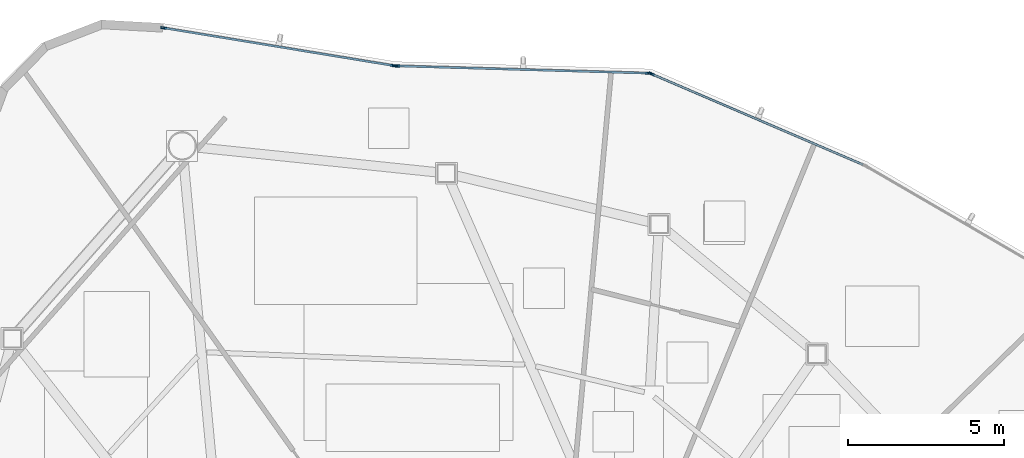
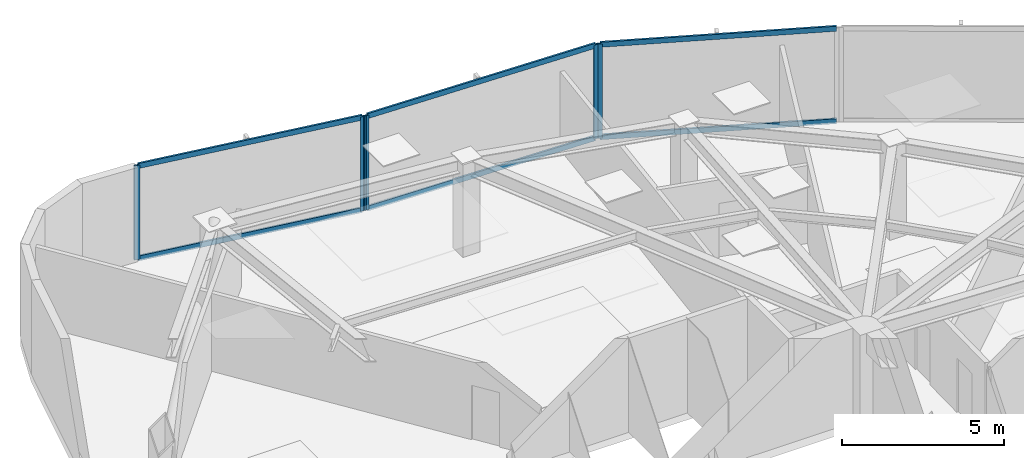
# One storey, part 9 of 18: 11 members, 3 elements without a shape of their own.
"""IFC4 building model written with IfcOpenShell, lengths in metres."""

import ifcopenshell
import ifcopenshell.guid

model = None  # the IFC model being written
_history = None  # IfcOwnerHistory: only IFC2X3 demands one
_inside = {}  # id of a spatial element -> (the spatial element, [elements in it])
_under = {}  # id of a project, library or spatial element -> (it, [spatial elements below it])
_declared = {}  # id of a project -> (the project, [libraries it declares])
_typed = {}  # id of a type object -> (the type object, [elements of that type])
_made_of = {}  # id of a material, layer set ... -> (it, [elements and type objects made of it])


def new_model(schema):
    """Start an empty IFC model of exactly this schema.

    Asked for "IFC4X3", IfcOpenShell would pick the latest addendum, in which some entities
    have other attributes; the version numbers below select the first issue.
    IFC2X3 requires an IfcOwnerHistory on every rooted entity: one is made here for all.
    """
    global model, _history
    if schema == "IFC4X3":
        model = ifcopenshell.file(schema_version=(4, 3, 0, 0))
    else:
        model = ifcopenshell.file(schema=schema)
    _inside.clear()
    _under.clear()
    _declared.clear()
    _typed.clear()
    _made_of.clear()
    _history = None
    if model.schema == "IFC2X3":
        org = make("IfcOrganization", Name="unknown")
        user = make(
            "IfcPersonAndOrganization",
            ThePerson=make("IfcPerson", FamilyName="unknown"),
            TheOrganization=org,
        )
        app = make(
            "IfcApplication",
            ApplicationDeveloper=org,
            Version="unknown",
            ApplicationFullName="unknown",
            ApplicationIdentifier="unknown",
        )
        _history = make(
            "IfcOwnerHistory",
            OwningUser=user,
            OwningApplication=app,
            ChangeAction="ADDED",
            CreationDate=0,
        )
    return model


def make(cls, **values):
    """One entity of the class cls with the attributes given. An attribute that is None is left unset."""
    return model.create_entity(
        cls, **{name: value for name, value in values.items() if value is not None}
    )


def rooted(cls, **values):
    """An entity with a GlobalId (a new one), such as an element, a storey or a relation."""
    return make(cls, GlobalId=ifcopenshell.guid.new(), OwnerHistory=_history, **values)


def si_unit(unit_type, name, prefix=None):
    """IfcSIUnit, for example si_unit("LENGTHUNIT", "METRE", prefix="MILLI")."""
    return make("IfcSIUnit", UnitType=unit_type, Prefix=prefix, Name=name)


def assignment(units):
    """IfcUnitAssignment: the units of a project."""
    return None if units is None else make("IfcUnitAssignment", Units=units)


def point(xyz):
    """IfcCartesianPoint."""
    return None if xyz is None else make("IfcCartesianPoint", Coordinates=xyz)


def direction(xyz):
    """IfcDirection."""
    return None if xyz is None else make("IfcDirection", DirectionRatios=xyz)


def frame(location, z_axis=None, x_axis=None):
    """IfcAxis2Placement3D, a coordinate frame: its origin and axes. An axis left out is left unset."""
    return make(
        "IfcAxis2Placement3D",
        Location=point(location),
        Axis=direction(z_axis),
        RefDirection=direction(x_axis),
    )


def frame_2d(location, x_axis=None):
    """IfcAxis2Placement2D, a coordinate frame in the plane: its origin and x axis."""
    return make(
        "IfcAxis2Placement2D", Location=point(location), RefDirection=direction(x_axis)
    )


def origin():
    """The frame at (0, 0, 0) with its axes left unset."""
    return frame((0.0, 0.0, 0.0))


def origin_2d():
    """The frame at (0, 0) in the plane with its x axis left unset."""
    return frame_2d((0.0, 0.0))


def place(relative_to, where):
    """IfcLocalPlacement: puts the frame where relative to a parent placement (None: the world)."""
    return make(
        "IfcLocalPlacement", PlacementRelTo=relative_to, RelativePlacement=where
    )


def context(
    kind, dimensions, precision=None, world=None, true_north=None, identifier=None
):
    """IfcGeometricRepresentationContext, for example the 3D "Model" context."""
    return make(
        "IfcGeometricRepresentationContext",
        ContextIdentifier=identifier,
        ContextType=kind,
        CoordinateSpaceDimension=dimensions,
        Precision=precision,
        WorldCoordinateSystem=world,
        TrueNorth=true_north,
    )


def subcontext(parent, identifier, kind, view, scale=None):
    """IfcGeometricRepresentationSubContext, for example "Body" below "Model"."""
    return make(
        "IfcGeometricRepresentationSubContext",
        ContextIdentifier=identifier,
        ContextType=kind,
        ParentContext=parent,
        TargetScale=scale,
        TargetView=view,
    )


def project(units=None, contexts=None):
    """IfcProject with its units and contexts."""
    return rooted(
        "IfcProject",
        Name="project",
        RepresentationContexts=contexts,
        UnitsInContext=assignment(units),
    )


def spatial(cls, under=None, at=None, **own):
    """A site, building, storey or space (cls), placed at a placement, below another one or the project."""
    s = rooted(cls, ObjectPlacement=at, **own)
    if under is not None:
        _under.setdefault(under.id(), (under, []))[1].append(s)
    return s


def profile(cls, at=None, kind="AREA", **sizes):
    """A parametric profile (cls). Its sizes go by their IFC names, for example OverallWidth=200.0."""
    return make(cls, ProfileType=kind, Position=at, **sizes)


def hollow_rectangle(**sizes):
    """IfcRectangleHollowProfileDef."""
    return profile("IfcRectangleHollowProfileDef", **sizes)


def extrude(swept, where, along, depth):
    """IfcExtrudedAreaSolid: the profile swept, set in the frame where, extruded along a direction by depth."""
    return make(
        "IfcExtrudedAreaSolid",
        SweptArea=swept,
        Position=where,
        ExtrudedDirection=direction(along),
        Depth=depth,
    )


def shape(context_of_items, identifier, shape_type, items):
    """IfcShapeRepresentation: the items that make up one representation, for example the "Body"."""
    return make(
        "IfcShapeRepresentation",
        ContextOfItems=context_of_items,
        RepresentationIdentifier=identifier,
        RepresentationType=shape_type,
        Items=items,
    )


def source(mapping_origin, context_of_items, identifier, shape_type, items):
    """IfcRepresentationMap: a shape defined once, which mapped items show again and again."""
    return make(
        "IfcRepresentationMap",
        MappingOrigin=mapping_origin,
        MappedRepresentation=shape(context_of_items, identifier, shape_type, items),
    )


def transform(
    local_origin,
    x_axis=None,
    y_axis=None,
    z_axis=None,
    scale=None,
    scale2=None,
    scale3=None,
    uniform=True,
):
    """IfcCartesianTransformationOperator3D, or its non-uniform kind. x_axis, y_axis, z_axis: its Axis1, 2, 3."""
    if uniform:
        return make(
            "IfcCartesianTransformationOperator3D",
            Axis1=direction(x_axis),
            Axis2=direction(y_axis),
            LocalOrigin=point(local_origin),
            Scale=scale,
            Axis3=direction(z_axis),
        )
    return make(
        "IfcCartesianTransformationOperator3DnonUniform",
        Axis1=direction(x_axis),
        Axis2=direction(y_axis),
        LocalOrigin=point(local_origin),
        Scale=scale,
        Axis3=direction(z_axis),
        Scale2=scale2,
        Scale3=scale3,
    )


def mapped(mapping_source, mapping_target):
    """IfcMappedItem: shows the shape of a source again, moved by a transform."""
    return make(
        "IfcMappedItem", MappingSource=mapping_source, MappingTarget=mapping_target
    )


def material(Name=None, Category=None):
    """IfcMaterial."""
    return make("IfcMaterial", Name=Name, Category=Category)


def layer(
    of_material, thickness, ventilated=None, Name=None, Category=None, Priority=None
):
    """IfcMaterialLayer: one layer of a wall or slab, of a material (None: an air gap)."""
    return make(
        "IfcMaterialLayer",
        Material=of_material,
        LayerThickness=thickness,
        IsVentilated=ventilated,
        Name=Name,
        Category=Category,
        Priority=Priority,
    )


def layer_set(layers, Name=None):
    """IfcMaterialLayerSet."""
    return make("IfcMaterialLayerSet", MaterialLayers=layers, LayerSetName=Name)


def material_profile(
    of_material, cross_section, Name=None, Category=None, Priority=None
):
    """IfcMaterialProfile: a cross section and its material."""
    return make(
        "IfcMaterialProfile",
        Name=Name,
        Material=of_material,
        Profile=cross_section,
        Priority=Priority,
        Category=Category,
    )


def profile_set(profiles, Name=None, composite=None):
    """IfcMaterialProfileSet."""
    return make(
        "IfcMaterialProfileSet",
        Name=Name,
        MaterialProfiles=profiles,
        CompositeProfile=composite,
    )


def made_of(thing, what):
    """Note that an element or type object is made of a material, layer set ...; save() writes the relation."""
    if what is not None:
        _made_of.setdefault(what.id(), (what, []))[1].append(thing)
    return thing


def type_object(cls, material=None, **own):
    """A type object (cls), such as IfcWallType, which elements share."""
    return made_of(rooted(cls, **own), material)


def type_shapes(of_type, sources):
    """Give a type object the sources (RepresentationMaps) that its elements show as mapped items."""
    of_type.RepresentationMaps = sources


def element(
    cls,
    number,
    at=None,
    inside=None,
    cuts=None,
    type_object=None,
    material=None,
    context=None,
    identifier="Body",
    shape_type=None,
    held_by="IfcProductDefinitionShape",
    body=None,
    shapes=None,
    **own,
):
    """One element of the class cls, such as IfcWall. Its Tag is "e" and its number.

    at: its placement. inside: the storey or other place that contains it. cuts: it is an
    opening in that element (IfcRelVoidsElement). A single representation is given by context,
    identifier, shape_type and body (its items); several are given by shapes. held_by: the class
    of the entity that holds the representations. save() writes the other relations.
    """
    e = rooted(cls, Tag="e%d" % number, ObjectPlacement=at, **own)
    if body is not None:
        shapes = [shape(context, identifier, shape_type, body)]
    if shapes is not None:
        e.Representation = make(held_by, Representations=shapes)
    if inside is not None:
        _inside.setdefault(inside.id(), (inside, []))[1].append(e)
    if cuts is not None:
        rooted(
            "IfcRelVoidsElement", RelatingBuildingElement=cuts, RelatedOpeningElement=e
        )
    if type_object is not None:
        _typed.setdefault(type_object.id(), (type_object, []))[1].append(e)
    return made_of(e, material)


def aggregate(whole, parts):
    """IfcRelAggregates: a whole, such as a stair, and the parts it consists of."""
    return rooted("IfcRelAggregates", RelatingObject=whole, RelatedObjects=parts)


def save(model, path):
    """Write the relations noted so far, then the file.

    IfcRelAggregates (storeys below a building ...), IfcRelContainedInSpatialStructure (elements
    in a storey), IfcRelDefinesByType, IfcRelAssociatesMaterial and IfcRelDeclares: one each for
    every whole, place, type object, material and project.
    """
    for whole, parts in _under.values():
        aggregate(whole, parts)
    for where, things in _inside.values():
        rooted(
            "IfcRelContainedInSpatialStructure",
            RelatedElements=things,
            RelatingStructure=where,
        )
    for kind, things in _typed.values():
        rooted("IfcRelDefinesByType", RelatedObjects=things, RelatingType=kind)
    for what, things in _made_of.values():
        rooted("IfcRelAssociatesMaterial", RelatedObjects=things, RelatingMaterial=what)
    for by, libraries in _declared.values():
        rooted("IfcRelDeclares", RelatingContext=by, RelatedDefinitions=libraries)
    model.write(path)


model = new_model("IFC4")

# Units and contexts
model_context = context("Model", 3, precision=1e-05, world=origin(), true_north=direction((0.0, 1.0)))
body_context = subcontext(model_context, "Body", "Model", "MODEL_VIEW")
ifc_project = project(units=[si_unit("LENGTHUNIT", "METRE"), si_unit("AREAUNIT", "SQUARE_METRE"), si_unit("VOLUMEUNIT", "CUBIC_METRE"), si_unit("PLANEANGLEUNIT", "RADIAN"), si_unit("MASSUNIT", "GRAM", prefix="KILO")], contexts=[model_context])

# Site, building, storey
site_placement = place(None, origin())
site = spatial("IfcSite", under=ifc_project, at=site_placement, CompositionType="ELEMENT")
building_placement = place(site_placement, origin())
building = spatial("IfcBuilding", under=site, at=building_placement, Name="Tavelor Broadcast Tower", CompositionType="ELEMENT")
storey_placement = place(building_placement, frame((0.0, 0.0, 173.35009765625)))
storey = spatial("IfcBuildingStorey", under=building, at=storey_placement, Name="L41", CompositionType="ELEMENT", Elevation=173.35009765625)

# Curtain wall, member
ifc_material = material(Name="Architectural Anodized Aluminium", Category="aluminium")
ifc_layer = layer(ifc_material, 0.18994140625)
ifc_layer_set = layer_set([ifc_layer], Name="Architectural Anodized Aluminium")
curtain_wall_type = type_object("IfcCurtainWallType", Name="Tower Mid-Zone Acoustic Curtain Wall CW03", PredefinedType="NOTDEFINED", material=ifc_layer_set)
curtain_wall_1_placement = place(storey_placement, origin())
curtain_wall_1 = element("IfcCurtainWall", 1, at=curtain_wall_1_placement, inside=storey, type_object=curtain_wall_type, Name="L41 Curtain Wall CW03 Run 442", PredefinedType="NOTDEFINED")
ifc_material_profile_1 = material_profile(ifc_material, hollow_rectangle(XDim=0.068115234375, YDim=0.18994140625, WallThickness=0.02197265625, at=origin_2d()), Name="RHS 68x190x22")
ifc_profile_set_1 = profile_set([ifc_material_profile_1], Name="Architectural Anodized Aluminium")
member_type_1 = type_object("IfcMemberType", Name="CW03 Extruded Aluminium Mullion 68x190", PredefinedType="MULLION", material=ifc_profile_set_1)
shared_shape_1 = source(origin(), body_context, "Body", "SweptSolid", [
    extrude(hollow_rectangle(XDim=0.068115234375, YDim=0.18994140625, WallThickness=0.02197265625, at=origin_2d()), origin(), (0.0, 0.0, 1.0), 3.5498046875),
])
type_shapes(member_type_1, [shared_shape_1])
member_1_placement = place(storey_placement, frame((57.032958984375, 68.385009765625, 0.0), z_axis=(0.0, 0.0, 1.0), x_axis=(-0.394342377913, -0.918963595025, 0.0)))
member_1 = element("IfcMember", 2, at=member_1_placement, type_object=member_type_1, Name="CW03 mullion 2", PredefinedType="MULLION", context=body_context, shape_type="MappedRepresentation", body=[
    mapped(shared_shape_1, transform((0.0, 0.0, 0.0), scale=1.0)),
])

# Curtain wall, members
curtain_wall_2_placement = place(storey_placement, origin())
curtain_wall_2 = element("IfcCurtainWall", 3, at=curtain_wall_2_placement, inside=storey, type_object=curtain_wall_type, Name="L41 Curtain Wall CW03 Run 443", PredefinedType="NOTDEFINED")
member_2_placement = place(storey_placement, frame((56.938720703125, 68.40576171875, 0.0), z_axis=(0.0, 0.0, 1.0), x_axis=(-0.028883991712, -0.999582770471, 0.0)))
member_2 = element("IfcMember", 4, at=member_2_placement, type_object=member_type_1, Name="CW03 mullion 1", PredefinedType="MULLION", context=body_context, shape_type="MappedRepresentation", body=[
    mapped(shared_shape_1, transform((0.0, 0.0, 0.0), scale=1.0)),
])
member_3_placement = place(storey_placement, frame((48.874267578125, 68.638671875, 0.0), z_axis=(0.0, 0.0, 1.0), x_axis=(-0.028883991712, -0.999582770471, 0.0)))
member_3 = element("IfcMember", 5, at=member_3_placement, type_object=member_type_1, Name="CW03 mullion 2", PredefinedType="MULLION", context=body_context, shape_type="MappedRepresentation", body=[
    mapped(shared_shape_1, transform((0.0, 0.0, 0.0), scale=1.0)),
])

curtain_wall_3_placement = place(storey_placement, origin())
curtain_wall_3 = element("IfcCurtainWall", 6, at=curtain_wall_3_placement, inside=storey, type_object=curtain_wall_type, Name="L41 Curtain Wall CW03 Run 444", PredefinedType="NOTDEFINED")
member_4_placement = place(storey_placement, frame((48.77685546875, 68.648193359375, 0.0), z_axis=(0.0, 0.0, 1.0), x_axis=(-0.162002230938, -0.98679039171, 0.0)))
member_4 = element("IfcMember", 7, at=member_4_placement, type_object=member_type_1, Name="CW03 mullion 1", PredefinedType="MULLION", context=body_context, shape_type="MappedRepresentation", body=[
    mapped(shared_shape_1, transform((0.0, 0.0, 0.0), scale=1.0)),
])
member_5_placement = place(storey_placement, frame((41.418212890625, 69.856201171875, 0.0), z_axis=(0.0, 0.0, 1.0), x_axis=(-0.162002230938, -0.98679039171, 0.0)))
member_5 = element("IfcMember", 8, at=member_5_placement, type_object=member_type_1, Name="CW03 mullion 2", PredefinedType="MULLION", context=body_context, shape_type="MappedRepresentation", body=[
    mapped(shared_shape_1, transform((0.0, 0.0, 0.0), scale=1.0)),
])
ifc_material_profile_2 = material_profile(ifc_material, hollow_rectangle(XDim=0.068115234375, YDim=0.18994140625, WallThickness=0.02197265625, at=origin_2d()), Name="RHS 68x190x22")
ifc_profile_set_2 = profile_set([ifc_material_profile_2], Name="Architectural Anodized Aluminium")
member_type_2 = type_object("IfcMemberType", Name="CW03 Extruded Aluminium Transom 68x190", PredefinedType="USERDEFINED", material=ifc_profile_set_2)
shared_shape_2 = source(origin(), body_context, "Body", "SweptSolid", [
    extrude(hollow_rectangle(XDim=0.068115234375, YDim=0.18994140625, WallThickness=0.02197265625, at=origin_2d()), origin(), (0.0, 0.0, 1.0), 7.389404296875),
])
member_6_placement = place(storey_placement, frame((48.743408203125, 68.653564453125, 0.033935546875), z_axis=(-0.986791929652, 0.161992862727, 0.0), x_axis=(-0.161992862727, -0.986791929652, 0.0)))
member_6 = element("IfcMember", 9, at=member_6_placement, type_object=member_type_2, Name="CW03 transom 1.1", ObjectType="TRANSOM", PredefinedType="USERDEFINED", context=body_context, shape_type="MappedRepresentation", body=[
    mapped(shared_shape_2, transform((0.0, 0.0, 0.0), scale=1.0)),
])
member_7_placement = place(storey_placement, frame((48.743408203125, 68.653564453125, 3.515869140625), z_axis=(-0.986791929652, 0.161992862727, 0.0), x_axis=(-0.161992862727, -0.986791929652, 0.0)))
member_7 = element("IfcMember", 10, at=member_7_placement, type_object=member_type_2, Name="CW03 transom 1.2", ObjectType="TRANSOM", PredefinedType="USERDEFINED", context=body_context, shape_type="MappedRepresentation", body=[
    mapped(shared_shape_2, transform((0.0, 0.0, 0.0), scale=1.0)),
])
aggregate(curtain_wall_3, [member_4, member_5, member_6, member_7])

# Member
shared_shape_3 = source(origin(), body_context, "Body", "SweptSolid", [
    extrude(hollow_rectangle(XDim=0.068115234375, YDim=0.18994140625, WallThickness=0.02197265625, at=origin_2d()), origin(), (0.0, 0.0, 1.0), 7.337158203125),
])
member_8_placement = place(storey_placement, frame((63.806640625, 65.47802734375, 0.033935546875), z_axis=(-0.918950432465, 0.394373050135, 0.0), x_axis=(-0.394373050135, -0.918950432465, 0.0)))
member_8 = element("IfcMember", 11, at=member_8_placement, type_object=member_type_2, Name="CW03 transom 1.1", ObjectType="TRANSOM", PredefinedType="USERDEFINED", context=body_context, shape_type="MappedRepresentation", body=[
    mapped(shared_shape_3, transform((0.0, 0.0, 0.0), scale=1.0)),
])

member_9_placement = place(storey_placement, frame((63.806640625, 65.47802734375, 3.515869140625), z_axis=(-0.918950432465, 0.394373050135, 0.0), x_axis=(-0.394373050135, -0.918950432465, 0.0)))
member_9 = element("IfcMember", 12, at=member_9_placement, type_object=member_type_2, Name="CW03 transom 1.2", ObjectType="TRANSOM", PredefinedType="USERDEFINED", context=body_context, shape_type="MappedRepresentation", body=[
    mapped(shared_shape_3, transform((0.0, 0.0, 0.0), scale=1.0)),
])

aggregate(curtain_wall_1, [member_1, member_8, member_9])

shared_shape_4 = source(origin(), body_context, "Body", "SweptSolid", [
    extrude(hollow_rectangle(XDim=0.068115234375, YDim=0.18994140625, WallThickness=0.02197265625, at=origin_2d()), origin(), (0.0, 0.0, 1.0), 8.0),
])
type_shapes(member_type_2, [shared_shape_2, shared_shape_3, shared_shape_4])
member_10_placement = place(storey_placement, frame((56.90478515625, 68.40673828125, 0.033935546875), z_axis=(-0.999583176702, 0.028869929937, 0.0), x_axis=(-0.028869929937, -0.999583176702, 0.0)))
member_10 = element("IfcMember", 13, at=member_10_placement, type_object=member_type_2, Name="CW03 transom 1.1", ObjectType="TRANSOM", PredefinedType="USERDEFINED", context=body_context, shape_type="MappedRepresentation", body=[
    mapped(shared_shape_4, transform((0.0, 0.0, 0.0), scale=1.0)),
])

member_11_placement = place(storey_placement, frame((56.90478515625, 68.40673828125, 3.515869140625), z_axis=(-0.999583176702, 0.028869929937, 0.0), x_axis=(-0.028869929937, -0.999583176702, 0.0)))
member_11 = element("IfcMember", 14, at=member_11_placement, type_object=member_type_2, Name="CW03 transom 1.2", ObjectType="TRANSOM", PredefinedType="USERDEFINED", context=body_context, shape_type="MappedRepresentation", body=[
    mapped(shared_shape_4, transform((0.0, 0.0, 0.0), scale=1.0)),
])

aggregate(curtain_wall_2, [member_2, member_3, member_10, member_11])

save(model, "model.ifc")
